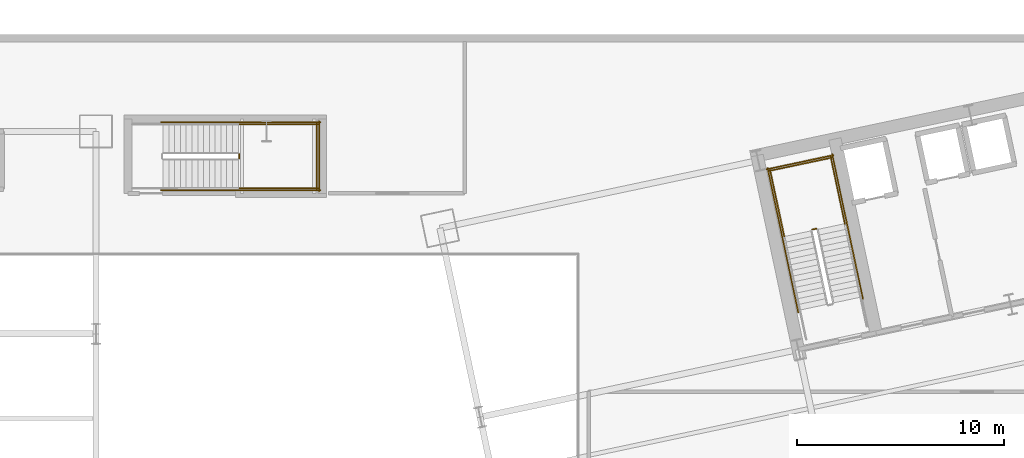
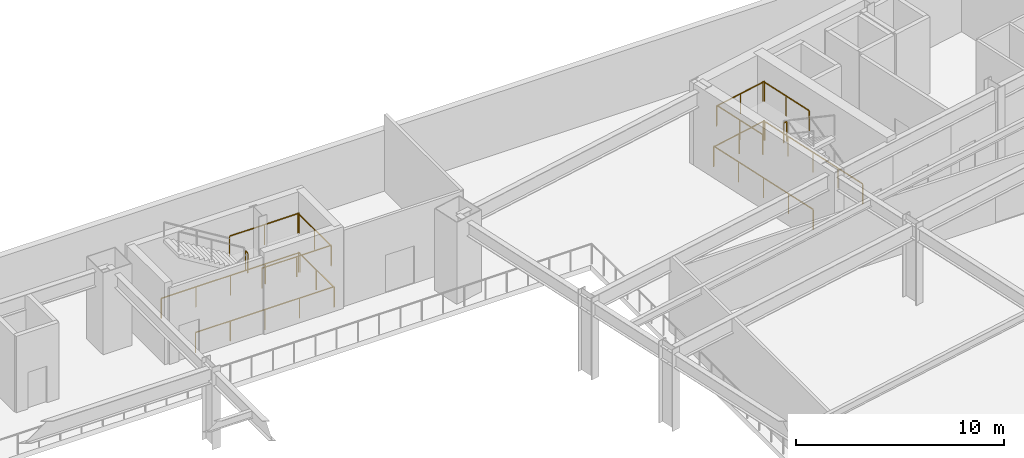
# One storey, part 24 of 25: 14 railings.
"""IFC4 building model written with IfcOpenShell, lengths in metres."""

from ifc_helpers import new_model, si_unit, direction, frame, origin, origin_2d, place, context, subcontext, project, spatial, rectangle, extrude, material, type_object, element, save


model = new_model("IFC4")

# Units and contexts
model_context = context("Model", 3, precision=1e-05, world=origin(), true_north=direction((0.0, 1.0)))
body_context = subcontext(model_context, "Body", "Model", "MODEL_VIEW")
ifc_project = project(units=[si_unit("LENGTHUNIT", "METRE"), si_unit("AREAUNIT", "SQUARE_METRE"), si_unit("VOLUMEUNIT", "CUBIC_METRE"), si_unit("PLANEANGLEUNIT", "RADIAN"), si_unit("MASSUNIT", "GRAM", prefix="KILO")], contexts=[model_context])

# Site, building, storey
site_placement = place(None, origin())
site = spatial("IfcSite", under=ifc_project, at=site_placement, CompositionType="ELEMENT")
building_placement = place(site_placement, origin())
building = spatial("IfcBuilding", under=site, at=building_placement, Name="Haevon Station Towers", CompositionType="ELEMENT")
storey_placement = place(building_placement, frame((0.0, 0.0, 6.0)))
storey = spatial("IfcBuildingStorey", under=building, at=storey_placement, Name="L01", CompositionType="ELEMENT", Elevation=6.0)

# Railings
ifc_material = material(Name="Steel S355", Category="steel")
railing_type = type_object("IfcRailingType", Name="GRD-STR1200", PredefinedType="GUARDRAIL", material=ifc_material)
railing_1_placement = place(storey_placement, frame((99.625244140625, 43.291748046875, 2.39990234375)))
element("IfcRailing", 1, at=railing_1_placement, inside=storey, type_object=railing_type, Name="L01 ST3 Stair Guard 2", PredefinedType="GUARDRAIL", context=body_context, shape_type="SweptSolid", body=[
    extrude(rectangle(XDim=0.048095703125, YDim=0.048095703125, at=origin_2d()), frame((0.0, 0.0, 1.17578125), z_axis=(-0.978211583308, -0.207610448392, 0.0), x_axis=(0.207610448392, -0.978211583308, 0.0)), (0.0, 0.0, 1.0), 0.199951171875),
    extrude(rectangle(XDim=0.0419921875, YDim=0.0419921875, at=origin_2d()), origin(), (0.0, 0.0, 1.0), 1.15185546875),
    extrude(rectangle(XDim=0.0419921875, YDim=0.0419921875, at=origin_2d()), frame((-0.195556640625, -0.04150390625, 0.0)), (0.0, 0.0, 1.0), 1.15185546875),
])
railing_2_placement = place(storey_placement, frame((101.005126953125, 43.533935546875, 2.39990234375)))
element("IfcRailing", 2, at=railing_2_placement, inside=storey, type_object=railing_type, Name="L01 ST3 Stair Guard 3", PredefinedType="GUARDRAIL", context=body_context, shape_type="SweptSolid", body=[
    extrude(rectangle(XDim=0.048095703125, YDim=0.048095703125, at=origin_2d()), frame((0.0, 0.0, 1.17578125), z_axis=(-0.207931975805, 0.978143288807, 0.0), x_axis=(-0.978143288807, -0.207931975805, 0.0)), (0.0, 0.0, 1.0), 3.309814453125),
    extrude(rectangle(XDim=0.0419921875, YDim=0.0419921875, at=origin_2d()), origin(), (0.0, 0.0, 1.0), 1.15185546875),
    extrude(rectangle(XDim=0.0419921875, YDim=0.0419921875, at=origin_2d()), frame((-0.34423828125, 1.61865234375, 0.0)), (0.0, 0.0, 1.0), 1.15185546875),
    extrude(rectangle(XDim=0.0419921875, YDim=0.0419921875, at=origin_2d()), frame((-0.688232421875, 3.237548828125, 0.0)), (0.0, 0.0, 1.0), 1.15185546875),
])
railing_3_placement = place(storey_placement, frame((98.070556640625, 42.91015625, 2.39990234375)))
element("IfcRailing", 3, at=railing_3_placement, inside=storey, type_object=railing_type, Name="L01 ST3 Stair Guard 4", PredefinedType="GUARDRAIL", context=body_context, shape_type="SweptSolid", body=[
    extrude(rectangle(XDim=0.048095703125, YDim=0.048095703125, at=origin_2d()), frame((0.0, 0.0, 1.17578125), z_axis=(-0.207846406048, 0.978161475163, 0.0), x_axis=(-0.978161475163, -0.207846406048, 0.0)), (0.0, 0.0, 1.0), 3.31005859375),
    extrude(rectangle(XDim=0.0419921875, YDim=0.0419921875, at=origin_2d()), origin(), (0.0, 0.0, 1.0), 1.15185546875),
    extrude(rectangle(XDim=0.0419921875, YDim=0.0419921875, at=origin_2d()), frame((-0.343994140625, 1.618896484375, 0.0)), (0.0, 0.0, 1.0), 1.15185546875),
    extrude(rectangle(XDim=0.0419921875, YDim=0.0419921875, at=origin_2d()), frame((-0.68798828125, 3.23779296875, 0.0)), (0.0, 0.0, 1.0), 1.15185546875),
])
railing_4_placement = place(storey_placement, frame((100.376220703125, 46.733154296875, 2.39990234375)))
element("IfcRailing", 4, at=railing_4_placement, inside=storey, type_object=railing_type, Name="L01 ST3 Stair Guard 5", PredefinedType="GUARDRAIL", context=body_context, shape_type="SweptSolid", body=[
    extrude(rectangle(XDim=0.048095703125, YDim=0.048095703125, at=origin_2d()), frame((0.0, 0.0, 1.17578125), z_axis=(-0.978146839882, -0.207915270313, 0.0), x_axis=(0.207915270313, -0.978146839882, 0.0)), (0.0, 0.0, 1.0), 3.099853515625),
    extrude(rectangle(XDim=0.0419921875, YDim=0.0419921875, at=origin_2d()), origin(), (0.0, 0.0, 1.0), 1.15185546875),
    extrude(rectangle(XDim=0.0419921875, YDim=0.0419921875, at=origin_2d()), frame((-1.51611328125, -0.322265625, 0.0)), (0.0, 0.0, 1.0), 1.15185546875),
    extrude(rectangle(XDim=0.0419921875, YDim=0.0419921875, at=origin_2d()), frame((-3.0322265625, -0.64453125, 0.0)), (0.0, 0.0, 1.0), 1.15185546875),
])
railing_5_placement = place(storey_placement, frame((101.88037109375, 39.896484375, 0.0)))
element("IfcRailing", 5, at=railing_5_placement, inside=storey, type_object=railing_type, Name="L01 ST3 Stair Guard 10", PredefinedType="GUARDRAIL", context=body_context, shape_type="SweptSolid", body=[
    extrude(rectangle(XDim=0.048095703125, YDim=0.048095703125, at=origin_2d()), frame((0.0, 0.0, 1.17578125), z_axis=(-0.207882442208, 0.978153817261, 0.0), x_axis=(-0.978153817261, -0.207882442208, 0.0)), (0.0, 0.0, 1.0), 7.14990234375),
    extrude(rectangle(XDim=0.0419921875, YDim=0.0419921875, at=origin_2d()), origin(), (0.0, 0.0, 1.0), 1.15185546875),
    extrude(rectangle(XDim=0.0419921875, YDim=0.0419921875, at=origin_2d()), frame((-0.37158203125, 1.74853515625, 0.0)), (0.0, 0.0, 1.0), 1.15185546875),
    extrude(rectangle(XDim=0.0419921875, YDim=0.0419921875, at=origin_2d()), frame((-0.7431640625, 3.496826171875, 0.0)), (0.0, 0.0, 1.0), 1.15185546875),
    extrude(rectangle(XDim=0.0419921875, YDim=0.0419921875, at=origin_2d()), frame((-1.11474609375, 5.2451171875, 0.0)), (0.0, 0.0, 1.0), 1.15185546875),
    extrude(rectangle(XDim=0.0419921875, YDim=0.0419921875, at=origin_2d()), frame((-1.486328125, 6.99365234375, 0.0)), (0.0, 0.0, 1.0), 1.15185546875),
])
railing_6_placement = place(storey_placement, frame((98.75048828125, 39.231201171875, 0.0)))
element("IfcRailing", 6, at=railing_6_placement, inside=storey, type_object=railing_type, Name="L01 ST3 Stair Guard 11", PredefinedType="GUARDRAIL", context=body_context, shape_type="SweptSolid", body=[
    extrude(rectangle(XDim=0.048095703125, YDim=0.048095703125, at=origin_2d()), frame((0.0, 0.0, 1.17578125), z_axis=(-0.207915112487, 0.978146873429, 0.0), x_axis=(-0.978146873429, -0.207915112487, 0.0)), (0.0, 0.0, 1.0), 7.14990234375),
    extrude(rectangle(XDim=0.0419921875, YDim=0.0419921875, at=origin_2d()), origin(), (0.0, 0.0, 1.0), 1.15185546875),
    extrude(rectangle(XDim=0.0419921875, YDim=0.0419921875, at=origin_2d()), frame((-0.37158203125, 1.74853515625, 0.0)), (0.0, 0.0, 1.0), 1.15185546875),
    extrude(rectangle(XDim=0.0419921875, YDim=0.0419921875, at=origin_2d()), frame((-0.7431640625, 3.496826171875, 0.0)), (0.0, 0.0, 1.0), 1.15185546875),
    extrude(rectangle(XDim=0.0419921875, YDim=0.0419921875, at=origin_2d()), frame((-1.114990234375, 5.2451171875, 0.0)), (0.0, 0.0, 1.0), 1.15185546875),
    extrude(rectangle(XDim=0.0419921875, YDim=0.0419921875, at=origin_2d()), frame((-1.486572265625, 6.99365234375, 0.0)), (0.0, 0.0, 1.0), 1.15185546875),
])
railing_7_placement = place(storey_placement, frame((100.453125, 46.8515625, 0.0)))
element("IfcRailing", 7, at=railing_7_placement, inside=storey, type_object=railing_type, Name="L01 ST3 Stair Guard 12", PredefinedType="GUARDRAIL", context=body_context, shape_type="SweptSolid", body=[
    extrude(rectangle(XDim=0.048095703125, YDim=0.048095703125, at=origin_2d()), frame((0.0, 0.0, 1.17578125), z_axis=(-0.978150764849, -0.207896804268, 0.0), x_axis=(0.207896804268, -0.978150764849, 0.0)), (0.0, 0.0, 1.0), 3.2998046875),
    extrude(rectangle(XDim=0.0419921875, YDim=0.0419921875, at=origin_2d()), origin(), (0.0, 0.0, 1.0), 1.15185546875),
    extrude(rectangle(XDim=0.0419921875, YDim=0.0419921875, at=origin_2d()), frame((-1.61376953125, -0.343017578125, 0.0)), (0.0, 0.0, 1.0), 1.15185546875),
    extrude(rectangle(XDim=0.0419921875, YDim=0.0419921875, at=origin_2d()), frame((-3.227783203125, -0.68603515625, 0.0)), (0.0, 0.0, 1.0), 1.15185546875),
])
railing_8_placement = place(storey_placement, frame((71.68994140625, 46.699951171875, 2.39990234375)))
element("IfcRailing", 8, at=railing_8_placement, inside=storey, type_object=railing_type, Name="L01 ST6 Stair Guard 2", PredefinedType="GUARDRAIL", context=body_context, shape_type="SweptSolid", body=[
    extrude(rectangle(XDim=0.048095703125, YDim=0.048095703125, at=origin_2d()), frame((0.0, 0.0, 1.17578125), z_axis=(0.0, 1.0, 0.0), x_axis=(-1.0, 0.0, 0.0)), (0.0, 0.0, 1.0), 0.199951171875),
    extrude(rectangle(XDim=0.0419921875, YDim=0.0419921875, at=origin_2d()), origin(), (0.0, 0.0, 1.0), 1.15185546875),
    extrude(rectangle(XDim=0.0419921875, YDim=0.0419921875, at=origin_2d()), frame((0.0, 0.199951171875, 0.0)), (0.0, 0.0, 1.0), 1.15185546875),
])
for number, where, name in (
    (9, (71.639892578125, 45.25, 2.39990234375), "L01 ST6 Stair Guard 3"),
    (10, (71.639892578125, 48.35009765625, 2.39990234375), "L01 ST6 Stair Guard 4"),
):
    element("IfcRailing", number, at=place(storey_placement, frame(where)), inside=storey, type_object=railing_type, Name=name, PredefinedType="GUARDRAIL", context=body_context, shape_type="SweptSolid", body=[
        extrude(rectangle(XDim=0.048095703125, YDim=0.048095703125, at=origin_2d()), frame((0.0, 0.0, 1.17578125), z_axis=(1.0, 0.0, 0.0), x_axis=(0.0, 1.0, 0.0)), (0.0, 0.0, 1.0), 3.860107421875),
        extrude(rectangle(XDim=0.0419921875, YDim=0.0419921875, at=origin_2d()), origin(), (0.0, 0.0, 1.0), 1.15185546875),
        extrude(rectangle(XDim=0.0419921875, YDim=0.0419921875, at=origin_2d()), frame((1.93017578125, 0.0, 0.0)), (0.0, 0.0, 1.0), 1.15185546875),
        extrude(rectangle(XDim=0.0419921875, YDim=0.0419921875, at=origin_2d()), frame((3.860107421875, 0.0, 0.0)), (0.0, 0.0, 1.0), 1.15185546875),
    ])
railing_9_placement = place(storey_placement, frame((75.449951171875, 45.199951171875, 2.39990234375)))
element("IfcRailing", 11, at=railing_9_placement, inside=storey, type_object=railing_type, Name="L01 ST6 Stair Guard 5", PredefinedType="GUARDRAIL", context=body_context, shape_type="SweptSolid", body=[
    extrude(rectangle(XDim=0.048095703125, YDim=0.048095703125, at=origin_2d()), frame((0.0, 0.0, 1.17578125), z_axis=(0.0, 1.0, 0.0), x_axis=(-1.0, 0.0, 0.0)), (0.0, 0.0, 1.0), 3.199951171875),
    extrude(rectangle(XDim=0.0419921875, YDim=0.0419921875, at=origin_2d()), origin(), (0.0, 0.0, 1.0), 1.15185546875),
    extrude(rectangle(XDim=0.0419921875, YDim=0.0419921875, at=origin_2d()), frame((0.0, 1.60009765625, 0.0)), (0.0, 0.0, 1.0), 1.15185546875),
    extrude(rectangle(XDim=0.0419921875, YDim=0.0419921875, at=origin_2d()), frame((0.0, 3.199951171875, 0.0)), (0.0, 0.0, 1.0), 1.15185546875),
])
for number, where, name in (
    (12, (67.89990234375, 45.14990234375, 0.0), "L01 ST6 Stair Guard 10"),
    (13, (67.89990234375, 48.449951171875, 0.0), "L01 ST6 Stair Guard 11"),
):
    element("IfcRailing", number, at=place(storey_placement, frame(where)), inside=storey, type_object=railing_type, Name=name, PredefinedType="GUARDRAIL", context=body_context, shape_type="SweptSolid", body=[
        extrude(rectangle(XDim=0.048095703125, YDim=0.048095703125, at=origin_2d()), frame((0.0, 0.0, 1.17578125), z_axis=(1.0, 0.0, 0.0), x_axis=(0.0, 1.0, 0.0)), (0.0, 0.0, 1.0), 7.7001953125),
        extrude(rectangle(XDim=0.0419921875, YDim=0.0419921875, at=origin_2d()), origin(), (0.0, 0.0, 1.0), 1.15185546875),
        extrude(rectangle(XDim=0.0419921875, YDim=0.0419921875, at=origin_2d()), frame((1.925048828125, 0.0, 0.0)), (0.0, 0.0, 1.0), 1.15185546875),
        extrude(rectangle(XDim=0.0419921875, YDim=0.0419921875, at=origin_2d()), frame((3.85009765625, 0.0, 0.0)), (0.0, 0.0, 1.0), 1.15185546875),
        extrude(rectangle(XDim=0.0419921875, YDim=0.0419921875, at=origin_2d()), frame((5.775146484375, 0.0, 0.0)), (0.0, 0.0, 1.0), 1.15185546875),
        extrude(rectangle(XDim=0.0419921875, YDim=0.0419921875, at=origin_2d()), frame((7.7001953125, 0.0, 0.0)), (0.0, 0.0, 1.0), 1.15185546875),
    ])
railing_10_placement = place(storey_placement, frame((75.550048828125, 45.10009765625, 0.0)))
element("IfcRailing", 14, at=railing_10_placement, inside=storey, type_object=railing_type, Name="L01 ST6 Stair Guard 12", PredefinedType="GUARDRAIL", context=body_context, shape_type="SweptSolid", body=[
    extrude(rectangle(XDim=0.048095703125, YDim=0.048095703125, at=origin_2d()), frame((0.0, 0.0, 1.17578125), z_axis=(0.0, 1.0, 0.0), x_axis=(-1.0, 0.0, 0.0)), (0.0, 0.0, 1.0), 3.39990234375),
    extrude(rectangle(XDim=0.0419921875, YDim=0.0419921875, at=origin_2d()), origin(), (0.0, 0.0, 1.0), 1.15185546875),
    extrude(rectangle(XDim=0.0419921875, YDim=0.0419921875, at=origin_2d()), frame((0.0, 1.699951171875, 0.0)), (0.0, 0.0, 1.0), 1.15185546875),
    extrude(rectangle(XDim=0.0419921875, YDim=0.0419921875, at=origin_2d()), frame((0.0, 3.39990234375, 0.0)), (0.0, 0.0, 1.0), 1.15185546875),
])

save(model, "model.ifc")
